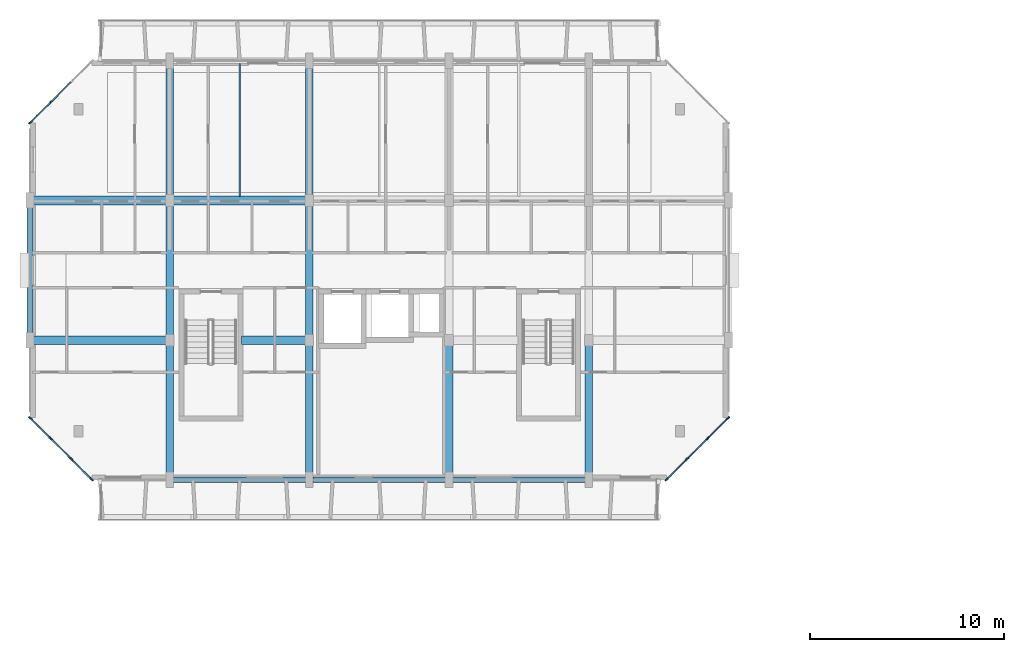
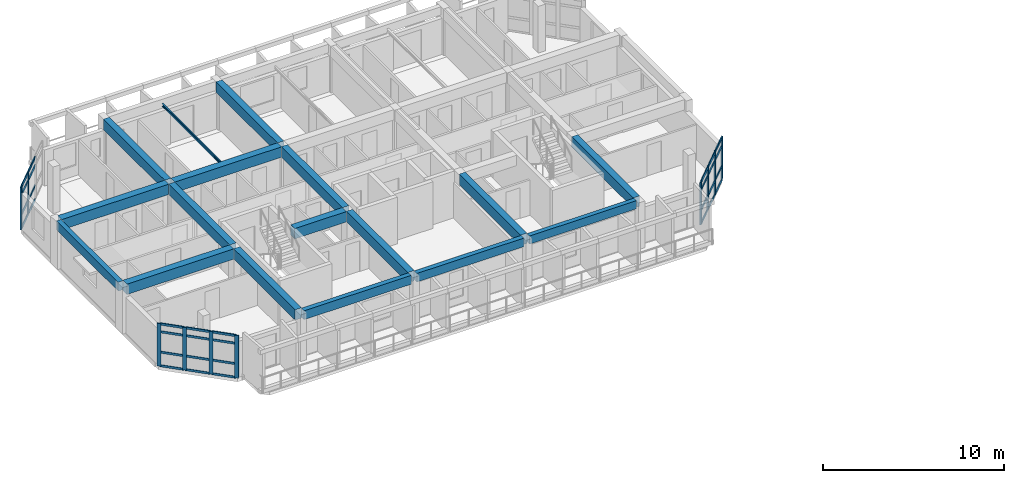
# One storey, part 5 of 46: 42 members, 17 beams, 3 elements without a shape of their own.
"""IFC4 building model written with IfcOpenShell, lengths in metres."""

from ifc_helpers import new_model, si_unit, direction, frame, origin, origin_2d, place, context, subcontext, project, spatial, rectangle, u_section, extrude, material, layer, layer_set, material_profile, profile_set, type_object, element, aggregate, save


model = new_model("IFC4")

# Units and contexts
model_context = context("Model", 3, precision=1e-05, world=origin(), true_north=direction((0.0, 1.0)))
body_context = subcontext(model_context, "Body", "Model", "MODEL_VIEW")
ifc_project = project(units=[si_unit("LENGTHUNIT", "METRE"), si_unit("AREAUNIT", "SQUARE_METRE"), si_unit("VOLUMEUNIT", "CUBIC_METRE"), si_unit("PLANEANGLEUNIT", "RADIAN"), si_unit("MASSUNIT", "GRAM", prefix="KILO")], contexts=[model_context])

# Site, building, storey
site_placement = place(None, origin())
site = spatial("IfcSite", under=ifc_project, at=site_placement, CompositionType="ELEMENT")
building_placement = place(site_placement, origin())
building = spatial("IfcBuilding", under=site, at=building_placement, Name="Ochrevale Crest", CompositionType="ELEMENT")
storey_placement = place(building_placement, frame((0.0, 0.0, 24.449951171875)))
storey = spatial("IfcBuildingStorey", under=building, at=storey_placement, Name="L07", CompositionType="ELEMENT", Elevation=24.449951171875)

# Beams
ifc_material_1 = material(Name="Precast concrete C50/60", Category="concrete")
ifc_material_profile_1 = material_profile(ifc_material_1, rectangle(XDim=0.39990234375, YDim=0.699951171875, at=origin_2d()), Name="PC 400x700")
ifc_profile_set_1 = profile_set([ifc_material_profile_1], Name="Precast concrete C50/60")
beam_type_1 = type_object("IfcBeamType", Name="BM-PC400x700", PredefinedType="BEAM", material=ifc_profile_set_1)
beam_1_placement = place(storey_placement, frame((7.199951171875, 72.179931640625, 2.800048828125), z_axis=(0.0, 1.0, 0.0), x_axis=(-1.0, 0.0, 0.0)))
element("IfcBeam", 1, at=beam_1_placement, inside=storey, type_object=beam_type_1, Name="Block B L07 N-S beam X=7.2", PredefinedType="BEAM", context=body_context, shape_type="SweptSolid", body=[
    extrude(rectangle(XDim=0.39990234375, YDim=0.699951171875, at=origin_2d()), origin(), (0.0, 0.0, 1.0), 6.815185546875),
])
beam_2_placement = place(storey_placement, frame((7.199951171875, 79.405029296875, 2.800048828125), z_axis=(0.0, 1.0, 0.0), x_axis=(-1.0, 0.0, 0.0)))
element("IfcBeam", 2, at=beam_2_placement, inside=storey, type_object=beam_type_1, Name="Block B L07 N-S beam X=7.2", PredefinedType="BEAM", context=body_context, shape_type="SweptSolid", body=[
    extrude(rectangle(XDim=0.39990234375, YDim=0.699951171875, at=origin_2d()), origin(), (0.0, 0.0, 1.0), 6.7900390625),
])
beam_3_placement = place(storey_placement, frame((7.199951171875, 86.60498046875, 2.800048828125), z_axis=(0.0, 1.0, 0.0), x_axis=(-1.0, 0.0, 0.0)))
element("IfcBeam", 3, at=beam_3_placement, inside=storey, type_object=beam_type_1, Name="Block B L07 N-S beam X=7.2", PredefinedType="BEAM", context=body_context, shape_type="SweptSolid", body=[
    extrude(rectangle(XDim=0.39990234375, YDim=0.699951171875, at=origin_2d()), origin(), (0.0, 0.0, 1.0), 6.81494140625),
])
beam_4_placement = place(storey_placement, frame((14.39990234375, 72.179931640625, 2.800048828125), z_axis=(0.0, 1.0, 0.0), x_axis=(-1.0, 0.0, 0.0)))
element("IfcBeam", 4, at=beam_4_placement, inside=storey, type_object=beam_type_1, Name="Block B L07 N-S beam X=14.4", PredefinedType="BEAM", context=body_context, shape_type="SweptSolid", body=[
    extrude(rectangle(XDim=0.39990234375, YDim=0.699951171875, at=origin_2d()), origin(), (0.0, 0.0, 1.0), 6.815185546875),
])
beam_5_placement = place(storey_placement, frame((14.39990234375, 79.405029296875, 2.800048828125), z_axis=(0.0, 1.0, 0.0), x_axis=(-1.0, 0.0, 0.0)))
element("IfcBeam", 5, at=beam_5_placement, inside=storey, type_object=beam_type_1, Name="Block B L07 N-S beam X=14.4", PredefinedType="BEAM", context=body_context, shape_type="SweptSolid", body=[
    extrude(rectangle(XDim=0.39990234375, YDim=0.699951171875, at=origin_2d()), origin(), (0.0, 0.0, 1.0), 6.7900390625),
])
beam_6_placement = place(storey_placement, frame((14.39990234375, 86.60498046875, 2.800048828125), z_axis=(0.0, 1.0, 0.0), x_axis=(-1.0, 0.0, 0.0)))
element("IfcBeam", 6, at=beam_6_placement, inside=storey, type_object=beam_type_1, Name="Block B L07 N-S beam X=14.4", PredefinedType="BEAM", context=body_context, shape_type="SweptSolid", body=[
    extrude(rectangle(XDim=0.39990234375, YDim=0.699951171875, at=origin_2d()), origin(), (0.0, 0.0, 1.0), 6.81494140625),
])
for number, where, z_axis, x_axis, name in (
    (7, (21.60009765625, 72.179931640625, 2.800048828125), (0.0, 1.0, 0.0), (-1.0, 0.0, 0.0), "Block B L07 N-S beam X=21.6"),
    (8, (28.800048828125, 72.179931640625, 2.800048828125), (0.0, 1.0, 0.0), (-1.0, 0.0, 0.0), "Block B L07 N-S beam X=28.8"),
):
    element("IfcBeam", number, at=place(storey_placement, frame(where, z_axis=z_axis, x_axis=x_axis)), inside=storey, type_object=beam_type_1, Name=name, PredefinedType="BEAM", context=body_context, shape_type="SweptSolid", body=[
        extrude(rectangle(XDim=0.39990234375, YDim=0.699951171875, at=origin_2d()), origin(), (0.0, 0.0, 1.0), 6.815185546875),
    ])
ifc_material_2 = material(Name="Steel S355", Category="steel")
ifc_material_profile_2 = material_profile(ifc_material_2, u_section(Depth=0.199951171875, FlangeWidth=0.074951171875, WebThickness=0.006103515625, FlangeThickness=0.011962890625, FilletRadius=0.011962890625, at=origin_2d()), Name="200PFC")
ifc_profile_set_2 = profile_set([ifc_material_profile_2], Name="Steel S355")
beam_type_2 = type_object("IfcBeamType", Name="BM-PFC200", PredefinedType="JOIST", material=ifc_profile_set_2)
beam_7_placement = place(storey_placement, frame((10.800048828125, 86.613037109375, 2.775146484375), z_axis=(0.0, 1.0, 0.0), x_axis=(-1.0, 0.0, 0.0)))
element("IfcBeam", 9, at=beam_7_placement, inside=storey, type_object=beam_type_2, Name="Block B L07 composite plank trimmer beam 2", PredefinedType="JOIST", context=body_context, shape_type="SweptSolid", body=[
    extrude(u_section(Depth=0.199951171875, FlangeWidth=0.074951171875, WebThickness=0.006103515625, FlangeThickness=0.011962890625, FilletRadius=0.011962890625, at=origin_2d()), origin(), (0.0, 0.0, 1.0), 6.848876953125),
])
ifc_material_3 = material(Name="Concrete C50/60", Category="concrete")
ifc_material_profile_3 = material_profile(ifc_material_3, rectangle(XDim=0.449951171875, YDim=0.699951171875, at=origin_2d()), Name="RC 450x700")
ifc_profile_set_3 = profile_set([ifc_material_profile_3], Name="Concrete C50/60")
beam_type_3 = type_object("IfcBeamType", Name="BM-PG450x700", PredefinedType="USERDEFINED", material=ifc_profile_set_3)
beam_8_placement = place(storey_placement, frame((0.175048828125, 79.199951171875, 2.800048828125), z_axis=(1.0, 0.0, 0.0), x_axis=(0.0, 1.0, 0.0)))
element("IfcBeam", 10, at=beam_8_placement, inside=storey, type_object=beam_type_3, Name="Block B L07 E-W beam Y=79.2", ObjectType="GIRDER", PredefinedType="USERDEFINED", context=body_context, shape_type="SweptSolid", body=[
    extrude(rectangle(XDim=0.449951171875, YDim=0.699951171875, at=origin_2d()), origin(), (0.0, 0.0, 1.0), 6.824951171875),
])
beam_9_placement = place(storey_placement, frame((10.889892578125, 79.199951171875, 2.800048828125), z_axis=(1.0, 0.0, 0.0), x_axis=(0.0, 1.0, 0.0)))
element("IfcBeam", 11, at=beam_9_placement, inside=storey, type_object=beam_type_3, Name="Block B L07 E-W beam Y=79.2", ObjectType="GIRDER", PredefinedType="USERDEFINED", context=body_context, shape_type="SweptSolid", body=[
    extrude(rectangle(XDim=0.449951171875, YDim=0.699951171875, at=origin_2d()), origin(), (0.0, 0.0, 1.0), 3.31005859375),
])
beam_10_placement = place(storey_placement, frame((0.175048828125, 86.39990234375, 2.800048828125), z_axis=(1.0, 0.0, 0.0), x_axis=(0.0, 1.0, 0.0)))
element("IfcBeam", 12, at=beam_10_placement, inside=storey, type_object=beam_type_3, Name="Block B L07 E-W beam Y=86.4", ObjectType="GIRDER", PredefinedType="USERDEFINED", context=body_context, shape_type="SweptSolid", body=[
    extrude(rectangle(XDim=0.449951171875, YDim=0.699951171875, at=origin_2d()), origin(), (0.0, 0.0, 1.0), 6.824951171875),
])
beam_11_placement = place(storey_placement, frame((7.39990234375, 86.39990234375, 2.800048828125), z_axis=(1.0, 0.0, 0.0), x_axis=(0.0, 1.0, 0.0)))
element("IfcBeam", 13, at=beam_11_placement, inside=storey, type_object=beam_type_3, Name="Block B L07 E-W beam Y=86.4", ObjectType="GIRDER", PredefinedType="USERDEFINED", context=body_context, shape_type="SweptSolid", body=[
    extrude(rectangle(XDim=0.449951171875, YDim=0.699951171875, at=origin_2d()), origin(), (0.0, 0.0, 1.0), 6.800048828125),
])
ifc_material_4 = material(Name="Precast concrete C40/50", Category="concrete")
ifc_material_profile_4 = material_profile(ifc_material_4, rectangle(XDim=0.280029296875, YDim=0.550048828125, at=origin_2d()), Name="PC 280x550")
ifc_profile_set_4 = profile_set([ifc_material_profile_4], Name="Precast concrete C40/50")
beam_type_4 = type_object("IfcBeamType", Name="BM-SP280x550", PredefinedType="SPANDREL", material=ifc_profile_set_4)
beam_12_placement = place(storey_placement, frame((21.77490234375, 72.0, 2.875), z_axis=(1.0, 0.0, 0.0), x_axis=(0.0, 1.0, 0.0)))
element("IfcBeam", 14, at=beam_12_placement, inside=storey, type_object=beam_type_4, Name="Block B L07 E-W beam Y=72.0", PredefinedType="SPANDREL", context=body_context, shape_type="SweptSolid", body=[
    extrude(rectangle(XDim=0.280029296875, YDim=0.550048828125, at=origin_2d()), origin(), (0.0, 0.0, 1.0), 6.85009765625),
])
ifc_material_profile_5 = material_profile(ifc_material_4, rectangle(XDim=0.300048828125, YDim=0.580078125, at=origin_2d()), Name="PC 300x580")
ifc_profile_set_5 = profile_set([ifc_material_profile_5], Name="Precast concrete C40/50")
beam_type_5 = type_object("IfcBeamType", Name="BM-SP300x580", PredefinedType="SPANDREL", material=ifc_profile_set_5)
beam_13_placement = place(storey_placement, frame((14.574951171875, 72.0, 2.860107421875), z_axis=(1.0, 0.0, 0.0), x_axis=(0.0, 1.0, 0.0)))
element("IfcBeam", 15, at=beam_13_placement, inside=storey, type_object=beam_type_5, Name="Block B L07 E-W beam Y=72.0", PredefinedType="SPANDREL", context=body_context, shape_type="SweptSolid", body=[
    extrude(rectangle(XDim=0.300048828125, YDim=0.580078125, at=origin_2d()), origin(), (0.0, 0.0, 1.0), 6.85009765625),
])
ifc_material_profile_6 = material_profile(ifc_material_4, rectangle(XDim=0.300048828125, YDim=0.60009765625, at=origin_2d()), Name="PC 300x600")
ifc_profile_set_6 = profile_set([ifc_material_profile_6], Name="Precast concrete C40/50")
beam_type_6 = type_object("IfcBeamType", Name="BM-SP300x600", PredefinedType="SPANDREL", material=ifc_profile_set_6)
beam_14_placement = place(storey_placement, frame((7.375, 72.0, 2.85009765625), z_axis=(1.0, 0.0, 0.0), x_axis=(0.0, 1.0, 0.0)))
element("IfcBeam", 16, at=beam_14_placement, inside=storey, type_object=beam_type_6, Name="Block B L07 E-W beam Y=72.0", PredefinedType="SPANDREL", context=body_context, shape_type="SweptSolid", body=[
    extrude(rectangle(XDim=0.300048828125, YDim=0.60009765625, at=origin_2d()), origin(), (0.0, 0.0, 1.0), 6.85009765625),
])
beam_15_placement = place(storey_placement, frame((0.0, 79.3798828125, 2.85009765625), z_axis=(0.0, 1.0, 0.0), x_axis=(-1.0, 0.0, 0.0)))
element("IfcBeam", 17, at=beam_15_placement, inside=storey, type_object=beam_type_6, Name="Block B L07 N-S beam X=0.0", PredefinedType="SPANDREL", context=body_context, shape_type="SweptSolid", body=[
    extrude(rectangle(XDim=0.300048828125, YDim=0.60009765625, at=origin_2d()), origin(), (0.0, 0.0, 1.0), 6.840087890625),
])

# Curtain wall, members
ifc_material_5 = material(Name="Anodised aluminium 6063-T5", Category="aluminium")
ifc_layer_1 = layer(ifc_material_5, 0.14990234375)
ifc_layer_set_1 = layer_set([ifc_layer_1], Name="Anodised aluminium 6063-T5")
curtain_wall_type_1 = type_object("IfcCurtainWallType", Name="CW-WG-420x285", PredefinedType="NOTDEFINED", material=ifc_layer_set_1)
curtain_wall_1_placement = place(storey_placement, origin())
curtain_wall_1 = element("IfcCurtainWall", 18, at=curtain_wall_1_placement, inside=storey, type_object=curtain_wall_type_1, Name="Block B L07 chamfered corner wintergarden curtain wall 2", PredefinedType="NOTDEFINED")
ifc_material_profile_7 = material_profile(ifc_material_5, rectangle(XDim=0.074951171875, YDim=0.219970703125, at=origin_2d()), Name="ALU 75x220")
ifc_profile_set_7 = profile_set([ifc_material_profile_7], Name="Anodised aluminium 6063-T5")
member_type_1 = type_object("IfcMemberType", Name="CW-MUL-75x220", PredefinedType="MULLION", material=ifc_profile_set_7)
member_1_placement = place(storey_placement, frame((32.826416015625, 72.026611328125, 0.0), z_axis=(0.0, 0.0, 1.0), x_axis=(-0.707106781187, 0.707106781187, 0.0)))
member_1 = element("IfcMember", 19, at=member_1_placement, type_object=member_type_1, Name="CW22 mullion 1", PredefinedType="MULLION", context=body_context, shape_type="SweptSolid", body=[
    extrude(rectangle(XDim=0.074951171875, YDim=0.219970703125, at=origin_2d()), origin(), (0.0, 0.0, 1.0), 2.875),
])
member_2_placement = place(storey_placement, frame((33.86669921875, 73.066650390625, 0.0), z_axis=(0.0, 0.0, 1.0), x_axis=(-0.707106781187, 0.707106781187, 0.0)))
member_2 = element("IfcMember", 20, at=member_2_placement, type_object=member_type_1, Name="CW22 mullion 2", PredefinedType="MULLION", context=body_context, shape_type="SweptSolid", body=[
    extrude(rectangle(XDim=0.074951171875, YDim=0.219970703125, at=origin_2d()), origin(), (0.0, 0.0, 1.0), 2.875),
])
member_3_placement = place(storey_placement, frame((34.933349609375, 74.13330078125, 0.0), z_axis=(0.0, 0.0, 1.0), x_axis=(-0.707106781187, 0.707106781187, 0.0)))
member_3 = element("IfcMember", 21, at=member_3_placement, type_object=member_type_1, Name="CW22 mullion 3", PredefinedType="MULLION", context=body_context, shape_type="SweptSolid", body=[
    extrude(rectangle(XDim=0.074951171875, YDim=0.219970703125, at=origin_2d()), origin(), (0.0, 0.0, 1.0), 2.875),
])
member_4_placement = place(storey_placement, frame((35.973388671875, 75.173583984375, 0.0), z_axis=(0.0, 0.0, 1.0), x_axis=(-0.707106781187, 0.707106781187, 0.0)))
member_4 = element("IfcMember", 22, at=member_4_placement, type_object=member_type_1, Name="CW22 mullion 4", PredefinedType="MULLION", context=body_context, shape_type="SweptSolid", body=[
    extrude(rectangle(XDim=0.074951171875, YDim=0.219970703125, at=origin_2d()), origin(), (0.0, 0.0, 1.0), 2.875),
])

ifc_layer_2 = layer(ifc_material_5, 0.14990234375)
ifc_layer_set_2 = layer_set([ifc_layer_2], Name="Anodised aluminium 6063-T5")
curtain_wall_type_2 = type_object("IfcCurtainWallType", Name="CW-WG-360x285", PredefinedType="NOTDEFINED", material=ifc_layer_set_2)
curtain_wall_2_placement = place(storey_placement, origin())
curtain_wall_2 = element("IfcCurtainWall", 23, at=curtain_wall_2_placement, inside=storey, type_object=curtain_wall_type_2, Name="Block B L07 chamfered corner wintergarden curtain wall 6", PredefinedType="NOTDEFINED")
member_5_placement = place(storey_placement, frame((1.066650390625, 91.466552734375, 0.0), z_axis=(0.0, 0.0, 1.0), x_axis=(0.707106781187, -0.707106781187, 0.0)))
member_5 = element("IfcMember", 24, at=member_5_placement, type_object=member_type_1, Name="CW18 mullion 3", PredefinedType="MULLION", context=body_context, shape_type="SweptSolid", body=[
    extrude(rectangle(XDim=0.074951171875, YDim=0.219970703125, at=origin_2d()), origin(), (0.0, 0.0, 1.0), 2.875),
])
member_6_placement = place(storey_placement, frame((0.026611328125, 90.426513671875, 0.0), z_axis=(0.0, 0.0, 1.0), x_axis=(0.707106781187, -0.707106781187, 0.0)))
member_6 = element("IfcMember", 25, at=member_6_placement, type_object=member_type_1, Name="CW18 mullion 4", PredefinedType="MULLION", context=body_context, shape_type="SweptSolid", body=[
    extrude(rectangle(XDim=0.074951171875, YDim=0.219970703125, at=origin_2d()), origin(), (0.0, 0.0, 1.0), 2.875),
])

ifc_layer_3 = layer(ifc_material_5, 0.14990234375)
ifc_layer_set_3 = layer_set([ifc_layer_3], Name="Anodised aluminium 6063-T5")
curtain_wall_type_3 = type_object("IfcCurtainWallType", Name="CW-WG-240x285", PredefinedType="NOTDEFINED", material=ifc_layer_set_3)
curtain_wall_3_placement = place(storey_placement, origin())
curtain_wall_3 = element("IfcCurtainWall", 26, at=curtain_wall_3_placement, inside=storey, type_object=curtain_wall_type_3, Name="Block B L07 chamfered corner wintergarden curtain wall 8", PredefinedType="NOTDEFINED")
member_7_placement = place(storey_placement, frame((0.026611328125, 75.173583984375, 0.0), z_axis=(0.0, 0.0, 1.0), x_axis=(0.707106781187, 0.707106781187, 0.0)))
member_7 = element("IfcMember", 27, at=member_7_placement, type_object=member_type_1, Name="CW15 mullion 1", PredefinedType="MULLION", context=body_context, shape_type="SweptSolid", body=[
    extrude(rectangle(XDim=0.074951171875, YDim=0.219970703125, at=origin_2d()), origin(), (0.0, 0.0, 1.0), 2.875),
])
member_8_placement = place(storey_placement, frame((1.066650390625, 74.13330078125, 0.0), z_axis=(0.0, 0.0, 1.0), x_axis=(0.707106781187, 0.707106781187, 0.0)))
member_8 = element("IfcMember", 28, at=member_8_placement, type_object=member_type_1, Name="CW15 mullion 2", PredefinedType="MULLION", context=body_context, shape_type="SweptSolid", body=[
    extrude(rectangle(XDim=0.074951171875, YDim=0.219970703125, at=origin_2d()), origin(), (0.0, 0.0, 1.0), 2.875),
])
member_9_placement = place(storey_placement, frame((2.13330078125, 73.066650390625, 0.0), z_axis=(0.0, 0.0, 1.0), x_axis=(0.707106781187, 0.707106781187, 0.0)))
member_9 = element("IfcMember", 29, at=member_9_placement, type_object=member_type_1, Name="CW15 mullion 3", PredefinedType="MULLION", context=body_context, shape_type="SweptSolid", body=[
    extrude(rectangle(XDim=0.074951171875, YDim=0.219970703125, at=origin_2d()), origin(), (0.0, 0.0, 1.0), 2.875),
])
member_10_placement = place(storey_placement, frame((3.173583984375, 72.026611328125, 0.0), z_axis=(0.0, 0.0, 1.0), x_axis=(0.707106781187, 0.707106781187, 0.0)))
member_10 = element("IfcMember", 30, at=member_10_placement, type_object=member_type_1, Name="CW15 mullion 4", PredefinedType="MULLION", context=body_context, shape_type="SweptSolid", body=[
    extrude(rectangle(XDim=0.074951171875, YDim=0.219970703125, at=origin_2d()), origin(), (0.0, 0.0, 1.0), 2.875),
])

# Member
ifc_material_profile_8 = material_profile(ifc_material_5, rectangle(XDim=0.06005859375, YDim=0.14990234375, at=origin_2d()), Name="ALU 60x150")
ifc_profile_set_8 = profile_set([ifc_material_profile_8], Name="Anodised aluminium 6063-T5")
member_type_2 = type_object("IfcMemberType", Name="CW-TRN-60x150", PredefinedType="USERDEFINED", material=ifc_profile_set_8)
member_11_placement = place(storey_placement, frame((32.85302734375, 72.052978515625, 0.030029296875), z_axis=(0.707106781187, 0.707106781187, 0.0), x_axis=(-0.707106781187, 0.707106781187, 0.0)))
member_11 = element("IfcMember", 31, at=member_11_placement, type_object=member_type_2, Name="CW22 transom 1.1", ObjectType="TRANSOM", PredefinedType="USERDEFINED", context=body_context, shape_type="SweptSolid", body=[
    extrude(rectangle(XDim=0.06005859375, YDim=0.14990234375, at=origin_2d()), origin(), (0.0, 0.0, 1.0), 1.39599609375),
])

member_12_placement = place(storey_placement, frame((32.85302734375, 72.052978515625, 0.949951171875), z_axis=(0.707106781187, 0.707106781187, 0.0), x_axis=(-0.707106781187, 0.707106781187, 0.0)))
member_12 = element("IfcMember", 32, at=member_12_placement, type_object=member_type_2, Name="CW22 transom 1.2", ObjectType="TRANSOM", PredefinedType="USERDEFINED", context=body_context, shape_type="SweptSolid", body=[
    extrude(rectangle(XDim=0.06005859375, YDim=0.14990234375, at=origin_2d()), origin(), (0.0, 0.0, 1.0), 1.39599609375),
])

member_13_placement = place(storey_placement, frame((32.85302734375, 72.052978515625, 2.324951171875), z_axis=(0.707106781187, 0.707106781187, 0.0), x_axis=(-0.707106781187, 0.707106781187, 0.0)))
member_13 = element("IfcMember", 33, at=member_13_placement, type_object=member_type_2, Name="CW22 transom 1.3", ObjectType="TRANSOM", PredefinedType="USERDEFINED", context=body_context, shape_type="SweptSolid", body=[
    extrude(rectangle(XDim=0.06005859375, YDim=0.14990234375, at=origin_2d()), origin(), (0.0, 0.0, 1.0), 1.39599609375),
])

member_14_placement = place(storey_placement, frame((32.85302734375, 72.052978515625, 2.844970703125), z_axis=(0.707106781187, 0.707106781187, 0.0), x_axis=(-0.707106781187, 0.707106781187, 0.0)))
member_14 = element("IfcMember", 34, at=member_14_placement, type_object=member_type_2, Name="CW22 transom 1.4", ObjectType="TRANSOM", PredefinedType="USERDEFINED", context=body_context, shape_type="SweptSolid", body=[
    extrude(rectangle(XDim=0.06005859375, YDim=0.14990234375, at=origin_2d()), origin(), (0.0, 0.0, 1.0), 1.39599609375),
])

member_15_placement = place(storey_placement, frame((33.89306640625, 73.09326171875, 0.030029296875), z_axis=(0.707106781187, 0.707106781187, 0.0), x_axis=(-0.707106781187, 0.707106781187, 0.0)))
member_15 = element("IfcMember", 35, at=member_15_placement, type_object=member_type_2, Name="CW22 transom 2.1", ObjectType="TRANSOM", PredefinedType="USERDEFINED", context=body_context, shape_type="SweptSolid", body=[
    extrude(rectangle(XDim=0.06005859375, YDim=0.14990234375, at=origin_2d()), origin(), (0.0, 0.0, 1.0), 1.43359375),
])

member_16_placement = place(storey_placement, frame((33.89306640625, 73.09326171875, 0.949951171875), z_axis=(0.707106781187, 0.707106781187, 0.0), x_axis=(-0.707106781187, 0.707106781187, 0.0)))
member_16 = element("IfcMember", 36, at=member_16_placement, type_object=member_type_2, Name="CW22 transom 2.2", ObjectType="TRANSOM", PredefinedType="USERDEFINED", context=body_context, shape_type="SweptSolid", body=[
    extrude(rectangle(XDim=0.06005859375, YDim=0.14990234375, at=origin_2d()), origin(), (0.0, 0.0, 1.0), 1.43359375),
])

member_17_placement = place(storey_placement, frame((33.89306640625, 73.09326171875, 2.324951171875), z_axis=(0.707106781187, 0.707106781187, 0.0), x_axis=(-0.707106781187, 0.707106781187, 0.0)))
member_17 = element("IfcMember", 37, at=member_17_placement, type_object=member_type_2, Name="CW22 transom 2.3", ObjectType="TRANSOM", PredefinedType="USERDEFINED", context=body_context, shape_type="SweptSolid", body=[
    extrude(rectangle(XDim=0.06005859375, YDim=0.14990234375, at=origin_2d()), origin(), (0.0, 0.0, 1.0), 1.43359375),
])

member_18_placement = place(storey_placement, frame((33.89306640625, 73.09326171875, 2.844970703125), z_axis=(0.707106781187, 0.707106781187, 0.0), x_axis=(-0.707106781187, 0.707106781187, 0.0)))
member_18 = element("IfcMember", 38, at=member_18_placement, type_object=member_type_2, Name="CW22 transom 2.4", ObjectType="TRANSOM", PredefinedType="USERDEFINED", context=body_context, shape_type="SweptSolid", body=[
    extrude(rectangle(XDim=0.06005859375, YDim=0.14990234375, at=origin_2d()), origin(), (0.0, 0.0, 1.0), 1.43359375),
])

member_19_placement = place(storey_placement, frame((34.9599609375, 74.159912109375, 0.030029296875), z_axis=(0.707106781187, 0.707106781187, 0.0), x_axis=(-0.707106781187, 0.707106781187, 0.0)))
member_19 = element("IfcMember", 39, at=member_19_placement, type_object=member_type_2, Name="CW22 transom 3.1", ObjectType="TRANSOM", PredefinedType="USERDEFINED", context=body_context, shape_type="SweptSolid", body=[
    extrude(rectangle(XDim=0.06005859375, YDim=0.14990234375, at=origin_2d()), origin(), (0.0, 0.0, 1.0), 1.39599609375),
])

member_20_placement = place(storey_placement, frame((34.9599609375, 74.159912109375, 0.949951171875), z_axis=(0.707106781187, 0.707106781187, 0.0), x_axis=(-0.707106781187, 0.707106781187, 0.0)))
member_20 = element("IfcMember", 40, at=member_20_placement, type_object=member_type_2, Name="CW22 transom 3.2", ObjectType="TRANSOM", PredefinedType="USERDEFINED", context=body_context, shape_type="SweptSolid", body=[
    extrude(rectangle(XDim=0.06005859375, YDim=0.14990234375, at=origin_2d()), origin(), (0.0, 0.0, 1.0), 1.39599609375),
])

member_21_placement = place(storey_placement, frame((34.9599609375, 74.159912109375, 2.324951171875), z_axis=(0.707106781187, 0.707106781187, 0.0), x_axis=(-0.707106781187, 0.707106781187, 0.0)))
member_21 = element("IfcMember", 41, at=member_21_placement, type_object=member_type_2, Name="CW22 transom 3.3", ObjectType="TRANSOM", PredefinedType="USERDEFINED", context=body_context, shape_type="SweptSolid", body=[
    extrude(rectangle(XDim=0.06005859375, YDim=0.14990234375, at=origin_2d()), origin(), (0.0, 0.0, 1.0), 1.39599609375),
])

member_22_placement = place(storey_placement, frame((34.9599609375, 74.159912109375, 2.844970703125), z_axis=(0.707106781187, 0.707106781187, 0.0), x_axis=(-0.707106781187, 0.707106781187, 0.0)))
member_22 = element("IfcMember", 42, at=member_22_placement, type_object=member_type_2, Name="CW22 transom 3.4", ObjectType="TRANSOM", PredefinedType="USERDEFINED", context=body_context, shape_type="SweptSolid", body=[
    extrude(rectangle(XDim=0.06005859375, YDim=0.14990234375, at=origin_2d()), origin(), (0.0, 0.0, 1.0), 1.39599609375),
])

aggregate(curtain_wall_1, [member_1, member_2, member_3, member_4, member_11, member_12, member_13, member_14, member_15, member_16, member_17, member_18, member_19, member_20, member_21, member_22])

member_23_placement = place(storey_placement, frame((2.10693359375, 92.5068359375, 0.030029296875), z_axis=(-0.707106781187, -0.707106781187, 0.0), x_axis=(0.707106781187, -0.707106781187, 0.0)))
member_23 = element("IfcMember", 43, at=member_23_placement, type_object=member_type_2, Name="CW18 transom 2.1", ObjectType="TRANSOM", PredefinedType="USERDEFINED", context=body_context, shape_type="SweptSolid", body=[
    extrude(rectangle(XDim=0.06005859375, YDim=0.14990234375, at=origin_2d()), origin(), (0.0, 0.0, 1.0), 1.43359375),
])

member_24_placement = place(storey_placement, frame((2.10693359375, 92.5068359375, 0.949951171875), z_axis=(-0.707106781187, -0.707106781187, 0.0), x_axis=(0.707106781187, -0.707106781187, 0.0)))
member_24 = element("IfcMember", 44, at=member_24_placement, type_object=member_type_2, Name="CW18 transom 2.2", ObjectType="TRANSOM", PredefinedType="USERDEFINED", context=body_context, shape_type="SweptSolid", body=[
    extrude(rectangle(XDim=0.06005859375, YDim=0.14990234375, at=origin_2d()), origin(), (0.0, 0.0, 1.0), 1.43359375),
])

member_25_placement = place(storey_placement, frame((2.10693359375, 92.5068359375, 2.324951171875), z_axis=(-0.707106781187, -0.707106781187, 0.0), x_axis=(0.707106781187, -0.707106781187, 0.0)))
member_25 = element("IfcMember", 45, at=member_25_placement, type_object=member_type_2, Name="CW18 transom 2.3", ObjectType="TRANSOM", PredefinedType="USERDEFINED", context=body_context, shape_type="SweptSolid", body=[
    extrude(rectangle(XDim=0.06005859375, YDim=0.14990234375, at=origin_2d()), origin(), (0.0, 0.0, 1.0), 1.43359375),
])

member_26_placement = place(storey_placement, frame((2.10693359375, 92.5068359375, 2.844970703125), z_axis=(-0.707106781187, -0.707106781187, 0.0), x_axis=(0.707106781187, -0.707106781187, 0.0)))
member_26 = element("IfcMember", 46, at=member_26_placement, type_object=member_type_2, Name="CW18 transom 2.4", ObjectType="TRANSOM", PredefinedType="USERDEFINED", context=body_context, shape_type="SweptSolid", body=[
    extrude(rectangle(XDim=0.06005859375, YDim=0.14990234375, at=origin_2d()), origin(), (0.0, 0.0, 1.0), 1.43359375),
])

member_27_placement = place(storey_placement, frame((1.0400390625, 91.440185546875, 0.030029296875), z_axis=(-0.707106781187, -0.707106781187, 0.0), x_axis=(0.707106781187, -0.707106781187, 0.0)))
member_27 = element("IfcMember", 47, at=member_27_placement, type_object=member_type_2, Name="CW18 transom 3.1", ObjectType="TRANSOM", PredefinedType="USERDEFINED", context=body_context, shape_type="SweptSolid", body=[
    extrude(rectangle(XDim=0.06005859375, YDim=0.14990234375, at=origin_2d()), origin(), (0.0, 0.0, 1.0), 1.39599609375),
])

member_28_placement = place(storey_placement, frame((1.0400390625, 91.440185546875, 0.949951171875), z_axis=(-0.707106781187, -0.707106781187, 0.0), x_axis=(0.707106781187, -0.707106781187, 0.0)))
member_28 = element("IfcMember", 48, at=member_28_placement, type_object=member_type_2, Name="CW18 transom 3.2", ObjectType="TRANSOM", PredefinedType="USERDEFINED", context=body_context, shape_type="SweptSolid", body=[
    extrude(rectangle(XDim=0.06005859375, YDim=0.14990234375, at=origin_2d()), origin(), (0.0, 0.0, 1.0), 1.39599609375),
])

member_29_placement = place(storey_placement, frame((1.0400390625, 91.440185546875, 2.324951171875), z_axis=(-0.707106781187, -0.707106781187, 0.0), x_axis=(0.707106781187, -0.707106781187, 0.0)))
member_29 = element("IfcMember", 49, at=member_29_placement, type_object=member_type_2, Name="CW18 transom 3.3", ObjectType="TRANSOM", PredefinedType="USERDEFINED", context=body_context, shape_type="SweptSolid", body=[
    extrude(rectangle(XDim=0.06005859375, YDim=0.14990234375, at=origin_2d()), origin(), (0.0, 0.0, 1.0), 1.39599609375),
])

member_30_placement = place(storey_placement, frame((1.0400390625, 91.440185546875, 2.844970703125), z_axis=(-0.707106781187, -0.707106781187, 0.0), x_axis=(0.707106781187, -0.707106781187, 0.0)))
member_30 = element("IfcMember", 50, at=member_30_placement, type_object=member_type_2, Name="CW18 transom 3.4", ObjectType="TRANSOM", PredefinedType="USERDEFINED", context=body_context, shape_type="SweptSolid", body=[
    extrude(rectangle(XDim=0.06005859375, YDim=0.14990234375, at=origin_2d()), origin(), (0.0, 0.0, 1.0), 1.39599609375),
])

aggregate(curtain_wall_2, [member_5, member_6, member_23, member_24, member_25, member_26, member_27, member_28, member_29, member_30])

member_31_placement = place(storey_placement, frame((0.052978515625, 75.14697265625, 0.030029296875), z_axis=(0.707106781187, -0.707106781187, 0.0), x_axis=(0.707106781187, 0.707106781187, 0.0)))
member_31 = element("IfcMember", 51, at=member_31_placement, type_object=member_type_2, Name="CW15 transom 1.1", ObjectType="TRANSOM", PredefinedType="USERDEFINED", context=body_context, shape_type="SweptSolid", body=[
    extrude(rectangle(XDim=0.06005859375, YDim=0.14990234375, at=origin_2d()), origin(), (0.0, 0.0, 1.0), 1.39599609375),
])

member_32_placement = place(storey_placement, frame((0.052978515625, 75.14697265625, 0.949951171875), z_axis=(0.707106781187, -0.707106781187, 0.0), x_axis=(0.707106781187, 0.707106781187, 0.0)))
member_32 = element("IfcMember", 52, at=member_32_placement, type_object=member_type_2, Name="CW15 transom 1.2", ObjectType="TRANSOM", PredefinedType="USERDEFINED", context=body_context, shape_type="SweptSolid", body=[
    extrude(rectangle(XDim=0.06005859375, YDim=0.14990234375, at=origin_2d()), origin(), (0.0, 0.0, 1.0), 1.39599609375),
])

member_33_placement = place(storey_placement, frame((0.052978515625, 75.14697265625, 2.324951171875), z_axis=(0.707106781187, -0.707106781187, 0.0), x_axis=(0.707106781187, 0.707106781187, 0.0)))
member_33 = element("IfcMember", 53, at=member_33_placement, type_object=member_type_2, Name="CW15 transom 1.3", ObjectType="TRANSOM", PredefinedType="USERDEFINED", context=body_context, shape_type="SweptSolid", body=[
    extrude(rectangle(XDim=0.06005859375, YDim=0.14990234375, at=origin_2d()), origin(), (0.0, 0.0, 1.0), 1.39599609375),
])

member_34_placement = place(storey_placement, frame((0.052978515625, 75.14697265625, 2.844970703125), z_axis=(0.707106781187, -0.707106781187, 0.0), x_axis=(0.707106781187, 0.707106781187, 0.0)))
member_34 = element("IfcMember", 54, at=member_34_placement, type_object=member_type_2, Name="CW15 transom 1.4", ObjectType="TRANSOM", PredefinedType="USERDEFINED", context=body_context, shape_type="SweptSolid", body=[
    extrude(rectangle(XDim=0.06005859375, YDim=0.14990234375, at=origin_2d()), origin(), (0.0, 0.0, 1.0), 1.39599609375),
])

member_35_placement = place(storey_placement, frame((1.09326171875, 74.10693359375, 0.030029296875), z_axis=(0.707106781187, -0.707106781187, 0.0), x_axis=(0.707106781187, 0.707106781187, 0.0)))
member_35 = element("IfcMember", 55, at=member_35_placement, type_object=member_type_2, Name="CW15 transom 2.1", ObjectType="TRANSOM", PredefinedType="USERDEFINED", context=body_context, shape_type="SweptSolid", body=[
    extrude(rectangle(XDim=0.06005859375, YDim=0.14990234375, at=origin_2d()), origin(), (0.0, 0.0, 1.0), 1.43359375),
])

member_36_placement = place(storey_placement, frame((1.09326171875, 74.10693359375, 0.949951171875), z_axis=(0.707106781187, -0.707106781187, 0.0), x_axis=(0.707106781187, 0.707106781187, 0.0)))
member_36 = element("IfcMember", 56, at=member_36_placement, type_object=member_type_2, Name="CW15 transom 2.2", ObjectType="TRANSOM", PredefinedType="USERDEFINED", context=body_context, shape_type="SweptSolid", body=[
    extrude(rectangle(XDim=0.06005859375, YDim=0.14990234375, at=origin_2d()), origin(), (0.0, 0.0, 1.0), 1.43359375),
])

member_37_placement = place(storey_placement, frame((1.09326171875, 74.10693359375, 2.324951171875), z_axis=(0.707106781187, -0.707106781187, 0.0), x_axis=(0.707106781187, 0.707106781187, 0.0)))
member_37 = element("IfcMember", 57, at=member_37_placement, type_object=member_type_2, Name="CW15 transom 2.3", ObjectType="TRANSOM", PredefinedType="USERDEFINED", context=body_context, shape_type="SweptSolid", body=[
    extrude(rectangle(XDim=0.06005859375, YDim=0.14990234375, at=origin_2d()), origin(), (0.0, 0.0, 1.0), 1.43359375),
])

member_38_placement = place(storey_placement, frame((1.09326171875, 74.10693359375, 2.844970703125), z_axis=(0.707106781187, -0.707106781187, 0.0), x_axis=(0.707106781187, 0.707106781187, 0.0)))
member_38 = element("IfcMember", 58, at=member_38_placement, type_object=member_type_2, Name="CW15 transom 2.4", ObjectType="TRANSOM", PredefinedType="USERDEFINED", context=body_context, shape_type="SweptSolid", body=[
    extrude(rectangle(XDim=0.06005859375, YDim=0.14990234375, at=origin_2d()), origin(), (0.0, 0.0, 1.0), 1.43359375),
])

member_39_placement = place(storey_placement, frame((2.159912109375, 73.0400390625, 0.030029296875), z_axis=(0.707106781187, -0.707106781187, 0.0), x_axis=(0.707106781187, 0.707106781187, 0.0)))
member_39 = element("IfcMember", 59, at=member_39_placement, type_object=member_type_2, Name="CW15 transom 3.1", ObjectType="TRANSOM", PredefinedType="USERDEFINED", context=body_context, shape_type="SweptSolid", body=[
    extrude(rectangle(XDim=0.06005859375, YDim=0.14990234375, at=origin_2d()), origin(), (0.0, 0.0, 1.0), 1.39599609375),
])

member_40_placement = place(storey_placement, frame((2.159912109375, 73.0400390625, 0.949951171875), z_axis=(0.707106781187, -0.707106781187, 0.0), x_axis=(0.707106781187, 0.707106781187, 0.0)))
member_40 = element("IfcMember", 60, at=member_40_placement, type_object=member_type_2, Name="CW15 transom 3.2", ObjectType="TRANSOM", PredefinedType="USERDEFINED", context=body_context, shape_type="SweptSolid", body=[
    extrude(rectangle(XDim=0.06005859375, YDim=0.14990234375, at=origin_2d()), origin(), (0.0, 0.0, 1.0), 1.39599609375),
])

member_41_placement = place(storey_placement, frame((2.159912109375, 73.0400390625, 2.324951171875), z_axis=(0.707106781187, -0.707106781187, 0.0), x_axis=(0.707106781187, 0.707106781187, 0.0)))
member_41 = element("IfcMember", 61, at=member_41_placement, type_object=member_type_2, Name="CW15 transom 3.3", ObjectType="TRANSOM", PredefinedType="USERDEFINED", context=body_context, shape_type="SweptSolid", body=[
    extrude(rectangle(XDim=0.06005859375, YDim=0.14990234375, at=origin_2d()), origin(), (0.0, 0.0, 1.0), 1.39599609375),
])

member_42_placement = place(storey_placement, frame((2.159912109375, 73.0400390625, 2.844970703125), z_axis=(0.707106781187, -0.707106781187, 0.0), x_axis=(0.707106781187, 0.707106781187, 0.0)))
member_42 = element("IfcMember", 62, at=member_42_placement, type_object=member_type_2, Name="CW15 transom 3.4", ObjectType="TRANSOM", PredefinedType="USERDEFINED", context=body_context, shape_type="SweptSolid", body=[
    extrude(rectangle(XDim=0.06005859375, YDim=0.14990234375, at=origin_2d()), origin(), (0.0, 0.0, 1.0), 1.39599609375),
])

aggregate(curtain_wall_3, [member_7, member_8, member_9, member_10, member_31, member_32, member_33, member_34, member_35, member_36, member_37, member_38, member_39, member_40, member_41, member_42])

save(model, "model.ifc")
